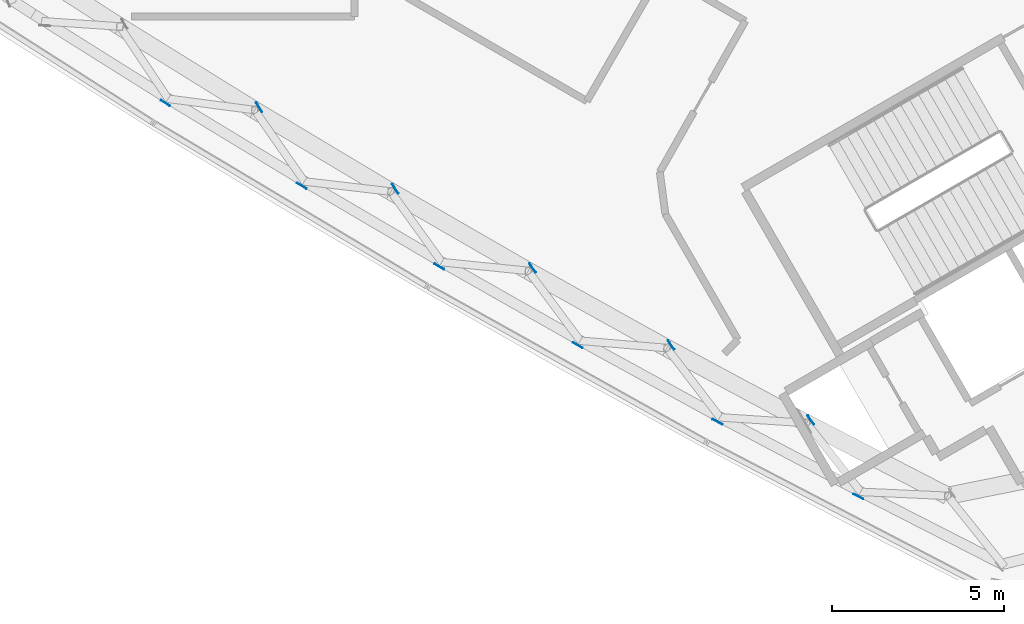
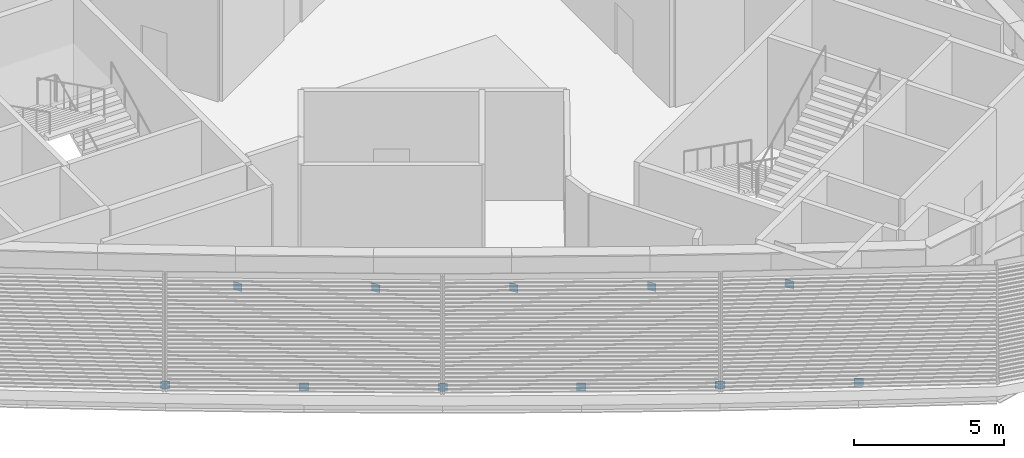
# One storey, part 7 of 18: 11 plates.
"""IFC4 building model written with IfcOpenShell, lengths in metres."""

import ifcopenshell
import ifcopenshell.guid

model = None  # the IFC model being written
_history = None  # IfcOwnerHistory: only IFC2X3 demands one
_inside = {}  # id of a spatial element -> (the spatial element, [elements in it])
_under = {}  # id of a project, library or spatial element -> (it, [spatial elements below it])
_declared = {}  # id of a project -> (the project, [libraries it declares])
_typed = {}  # id of a type object -> (the type object, [elements of that type])
_made_of = {}  # id of a material, layer set ... -> (it, [elements and type objects made of it])


def new_model(schema):
    """Start an empty IFC model of exactly this schema.

    Asked for "IFC4X3", IfcOpenShell would pick the latest addendum, in which some entities
    have other attributes; the version numbers below select the first issue.
    IFC2X3 requires an IfcOwnerHistory on every rooted entity: one is made here for all.
    """
    global model, _history
    if schema == "IFC4X3":
        model = ifcopenshell.file(schema_version=(4, 3, 0, 0))
    else:
        model = ifcopenshell.file(schema=schema)
    _inside.clear()
    _under.clear()
    _declared.clear()
    _typed.clear()
    _made_of.clear()
    _history = None
    if model.schema == "IFC2X3":
        org = make("IfcOrganization", Name="unknown")
        user = make(
            "IfcPersonAndOrganization",
            ThePerson=make("IfcPerson", FamilyName="unknown"),
            TheOrganization=org,
        )
        app = make(
            "IfcApplication",
            ApplicationDeveloper=org,
            Version="unknown",
            ApplicationFullName="unknown",
            ApplicationIdentifier="unknown",
        )
        _history = make(
            "IfcOwnerHistory",
            OwningUser=user,
            OwningApplication=app,
            ChangeAction="ADDED",
            CreationDate=0,
        )
    return model


def make(cls, **values):
    """One entity of the class cls with the attributes given. An attribute that is None is left unset."""
    return model.create_entity(
        cls, **{name: value for name, value in values.items() if value is not None}
    )


def rooted(cls, **values):
    """An entity with a GlobalId (a new one), such as an element, a storey or a relation."""
    return make(cls, GlobalId=ifcopenshell.guid.new(), OwnerHistory=_history, **values)


def si_unit(unit_type, name, prefix=None):
    """IfcSIUnit, for example si_unit("LENGTHUNIT", "METRE", prefix="MILLI")."""
    return make("IfcSIUnit", UnitType=unit_type, Prefix=prefix, Name=name)


def assignment(units):
    """IfcUnitAssignment: the units of a project."""
    return None if units is None else make("IfcUnitAssignment", Units=units)


def point(xyz):
    """IfcCartesianPoint."""
    return None if xyz is None else make("IfcCartesianPoint", Coordinates=xyz)


def direction(xyz):
    """IfcDirection."""
    return None if xyz is None else make("IfcDirection", DirectionRatios=xyz)


def frame(location, z_axis=None, x_axis=None):
    """IfcAxis2Placement3D, a coordinate frame: its origin and axes. An axis left out is left unset."""
    return make(
        "IfcAxis2Placement3D",
        Location=point(location),
        Axis=direction(z_axis),
        RefDirection=direction(x_axis),
    )


def frame_2d(location, x_axis=None):
    """IfcAxis2Placement2D, a coordinate frame in the plane: its origin and x axis."""
    return make(
        "IfcAxis2Placement2D", Location=point(location), RefDirection=direction(x_axis)
    )


def origin():
    """The frame at (0, 0, 0) with its axes left unset."""
    return frame((0.0, 0.0, 0.0))


def origin_2d():
    """The frame at (0, 0) in the plane with its x axis left unset."""
    return frame_2d((0.0, 0.0))


def place(relative_to, where):
    """IfcLocalPlacement: puts the frame where relative to a parent placement (None: the world)."""
    return make(
        "IfcLocalPlacement", PlacementRelTo=relative_to, RelativePlacement=where
    )


def context(
    kind, dimensions, precision=None, world=None, true_north=None, identifier=None
):
    """IfcGeometricRepresentationContext, for example the 3D "Model" context."""
    return make(
        "IfcGeometricRepresentationContext",
        ContextIdentifier=identifier,
        ContextType=kind,
        CoordinateSpaceDimension=dimensions,
        Precision=precision,
        WorldCoordinateSystem=world,
        TrueNorth=true_north,
    )


def subcontext(parent, identifier, kind, view, scale=None):
    """IfcGeometricRepresentationSubContext, for example "Body" below "Model"."""
    return make(
        "IfcGeometricRepresentationSubContext",
        ContextIdentifier=identifier,
        ContextType=kind,
        ParentContext=parent,
        TargetScale=scale,
        TargetView=view,
    )


def project(units=None, contexts=None):
    """IfcProject with its units and contexts."""
    return rooted(
        "IfcProject",
        Name="project",
        RepresentationContexts=contexts,
        UnitsInContext=assignment(units),
    )


def spatial(cls, under=None, at=None, **own):
    """A site, building, storey or space (cls), placed at a placement, below another one or the project."""
    s = rooted(cls, ObjectPlacement=at, **own)
    if under is not None:
        _under.setdefault(under.id(), (under, []))[1].append(s)
    return s


def profile(cls, at=None, kind="AREA", **sizes):
    """A parametric profile (cls). Its sizes go by their IFC names, for example OverallWidth=200.0."""
    return make(cls, ProfileType=kind, Position=at, **sizes)


def rectangle(**sizes):
    """IfcRectangleProfileDef."""
    return profile("IfcRectangleProfileDef", **sizes)


def extrude(swept, where, along, depth):
    """IfcExtrudedAreaSolid: the profile swept, set in the frame where, extruded along a direction by depth."""
    return make(
        "IfcExtrudedAreaSolid",
        SweptArea=swept,
        Position=where,
        ExtrudedDirection=direction(along),
        Depth=depth,
    )


def shape(context_of_items, identifier, shape_type, items):
    """IfcShapeRepresentation: the items that make up one representation, for example the "Body"."""
    return make(
        "IfcShapeRepresentation",
        ContextOfItems=context_of_items,
        RepresentationIdentifier=identifier,
        RepresentationType=shape_type,
        Items=items,
    )


def material(Name=None, Category=None):
    """IfcMaterial."""
    return make("IfcMaterial", Name=Name, Category=Category)


def layer(
    of_material, thickness, ventilated=None, Name=None, Category=None, Priority=None
):
    """IfcMaterialLayer: one layer of a wall or slab, of a material (None: an air gap)."""
    return make(
        "IfcMaterialLayer",
        Material=of_material,
        LayerThickness=thickness,
        IsVentilated=ventilated,
        Name=Name,
        Category=Category,
        Priority=Priority,
    )


def layer_set(layers, Name=None):
    """IfcMaterialLayerSet."""
    return make("IfcMaterialLayerSet", MaterialLayers=layers, LayerSetName=Name)


def made_of(thing, what):
    """Note that an element or type object is made of a material, layer set ...; save() writes the relation."""
    if what is not None:
        _made_of.setdefault(what.id(), (what, []))[1].append(thing)
    return thing


def type_object(cls, material=None, **own):
    """A type object (cls), such as IfcWallType, which elements share."""
    return made_of(rooted(cls, **own), material)


def element(
    cls,
    number,
    at=None,
    inside=None,
    cuts=None,
    type_object=None,
    material=None,
    context=None,
    identifier="Body",
    shape_type=None,
    held_by="IfcProductDefinitionShape",
    body=None,
    shapes=None,
    **own,
):
    """One element of the class cls, such as IfcWall. Its Tag is "e" and its number.

    at: its placement. inside: the storey or other place that contains it. cuts: it is an
    opening in that element (IfcRelVoidsElement). A single representation is given by context,
    identifier, shape_type and body (its items); several are given by shapes. held_by: the class
    of the entity that holds the representations. save() writes the other relations.
    """
    e = rooted(cls, Tag="e%d" % number, ObjectPlacement=at, **own)
    if body is not None:
        shapes = [shape(context, identifier, shape_type, body)]
    if shapes is not None:
        e.Representation = make(held_by, Representations=shapes)
    if inside is not None:
        _inside.setdefault(inside.id(), (inside, []))[1].append(e)
    if cuts is not None:
        rooted(
            "IfcRelVoidsElement", RelatingBuildingElement=cuts, RelatedOpeningElement=e
        )
    if type_object is not None:
        _typed.setdefault(type_object.id(), (type_object, []))[1].append(e)
    return made_of(e, material)


def aggregate(whole, parts):
    """IfcRelAggregates: a whole, such as a stair, and the parts it consists of."""
    return rooted("IfcRelAggregates", RelatingObject=whole, RelatedObjects=parts)


def save(model, path):
    """Write the relations noted so far, then the file.

    IfcRelAggregates (storeys below a building ...), IfcRelContainedInSpatialStructure (elements
    in a storey), IfcRelDefinesByType, IfcRelAssociatesMaterial and IfcRelDeclares: one each for
    every whole, place, type object, material and project.
    """
    for whole, parts in _under.values():
        aggregate(whole, parts)
    for where, things in _inside.values():
        rooted(
            "IfcRelContainedInSpatialStructure",
            RelatedElements=things,
            RelatingStructure=where,
        )
    for kind, things in _typed.values():
        rooted("IfcRelDefinesByType", RelatedObjects=things, RelatingType=kind)
    for what, things in _made_of.values():
        rooted("IfcRelAssociatesMaterial", RelatedObjects=things, RelatingMaterial=what)
    for by, libraries in _declared.values():
        rooted("IfcRelDeclares", RelatingContext=by, RelatedDefinitions=libraries)
    model.write(path)


model = new_model("IFC4")

# Units and contexts
model_context = context("Model", 3, precision=1e-05, world=origin(), true_north=direction((0.0, 1.0)))
body_context = subcontext(model_context, "Body", "Model", "MODEL_VIEW")
ifc_project = project(units=[si_unit("LENGTHUNIT", "METRE"), si_unit("AREAUNIT", "SQUARE_METRE"), si_unit("VOLUMEUNIT", "CUBIC_METRE"), si_unit("PLANEANGLEUNIT", "RADIAN"), si_unit("MASSUNIT", "GRAM", prefix="KILO")], contexts=[model_context])

# Site, building, storey
site_placement = place(None, origin())
site = spatial("IfcSite", under=ifc_project, at=site_placement, CompositionType="ELEMENT")
building_placement = place(site_placement, origin())
building = spatial("IfcBuilding", under=site, at=building_placement, Name="Tamra Quay Hotel Tower", CompositionType="ELEMENT")
storey_placement = place(building_placement, frame((0.0, 0.0, 257.39990234375)))
storey = spatial("IfcBuildingStorey", under=building, at=storey_placement, Name="L65", CompositionType="ELEMENT", Elevation=257.39990234375)

# Plates
ifc_material = material(Name="Structural steel IS 2062 E350", Category="steel")
ifc_layer = layer(ifc_material, 0.02490234375)
ifc_layer_set = layer_set([ifc_layer], Name="BRACE END PLATE 25")
plate_type = type_object("IfcPlateType", Name="BRACE END PLATE 25", PredefinedType="SHEET", material=ifc_layer_set)
for number, where, z_axis, x_axis, name in (
    (1, (-16.35595703125, -9.82080078125, -0.39990234375), (0.0, 0.0, 1.0), (0.52742148591, 0.849603776004, 0.0), "BEP-L65-018"),
    (2, (-12.400146484375, -12.22265625, -0.39990234375), (0.0, 0.0, 1.0), (0.513767372694, 0.857929534842, 0.0), "BEP-L65-019"),
    (3, (-8.40966796875, -14.56591796875, -0.39990234375), (0.0, 0.0, 1.0), (0.499995465495, 0.866028021766, 0.0), "BEP-L65-020"),
    (4, (-4.385009765625, -16.85009765625, -0.39990234375), (0.0, 0.0, 1.0), (0.48611423692, 0.873895273281, 0.0), "BEP-L65-021"),
    (5, (-0.326904296875, -19.0751953125, -0.39990234375), (0.0, 0.0, 1.0), (0.472061555739, 0.881565588935, 0.0), "BEP-L65-022"),
    (6, (3.7626953125, -21.240234375, -0.39990234375), (0.0, 0.0, 1.0), (0.457993386309, 0.888955599621, 0.0), "BEP-L65-023"),
    (7, (-13.63623046875, -9.9423828125, 2.72998046875), (0.0, 0.0, 1.0), (0.850889972249, 0.525343939839, 0.0), "BEP-L65-049"),
    (8, (-9.68408203125, -12.30615234375, 2.72998046875), (0.0, 0.0, 1.0), (0.842784174438, 0.538251646832, 0.0), "BEP-L65-050"),
    (9, (-5.695556640625, -14.607666015625, 2.72998046875), (0.0, 0.0, 1.0), (0.83450374461, 0.551002268809, 0.0), "BEP-L65-051"),
    (10, (-1.67138671875, -16.8466796875, 2.72998046875), (0.0, 0.0, 1.0), (0.826021570838, 0.56363850517, 0.0), "BEP-L65-052"),
    (11, (2.38720703125, -19.022705078125, 2.72998046875), (0.0, 0.0, 1.0), (0.817395331143, 0.57607714121, 0.0), "BEP-L65-053"),
):
    element("IfcPlate", number, at=place(storey_placement, frame(where, z_axis=z_axis, x_axis=x_axis)), inside=storey, type_object=plate_type, Name=name, PredefinedType="SHEET", context=body_context, shape_type="SweptSolid", body=[
        extrude(rectangle(XDim=0.02490234375, YDim=0.320068359375, at=origin_2d()), origin(), (0.0, 0.0, 1.0), 0.320068359375),
    ])

save(model, "model.ifc")
